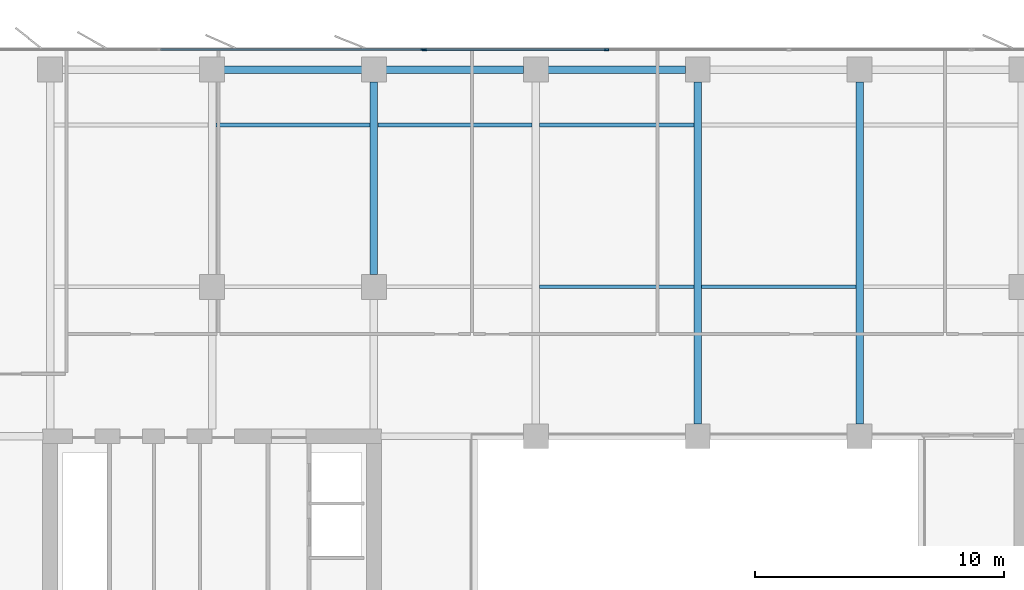
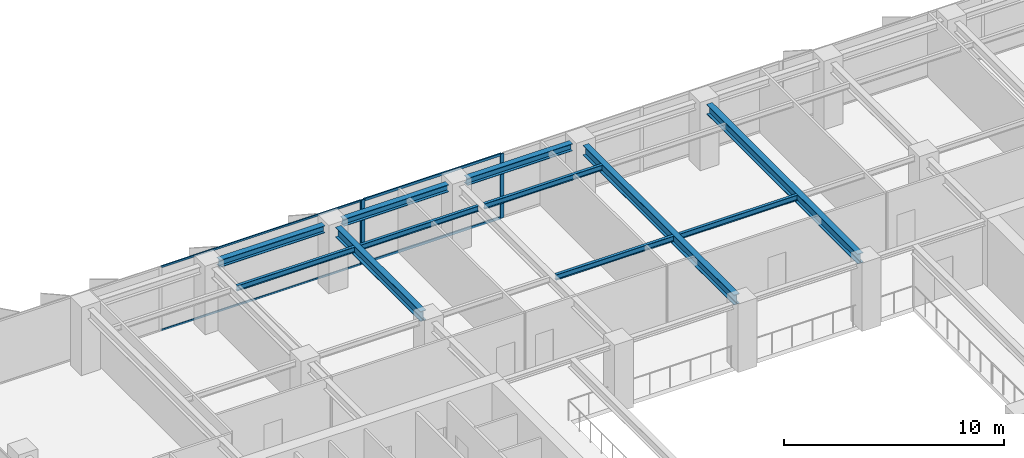
# One storey, part 9 of 22: 11 beams, 7 members, 2 elements without a shape of their own.
"""IFC4 building model written with IfcOpenShell, lengths in metres."""

from ifc_helpers import new_model, si_unit, direction, frame, origin, origin_2d, place, context, subcontext, project, spatial, rectangle, i_section, extrude, material, layer, layer_set, material_profile, profile_set, type_object, element, aggregate, save


model = new_model("IFC4")

# Units and contexts
model_context = context("Model", 3, precision=1e-05, world=origin(), true_north=direction((0.0, 1.0)))
body_context = subcontext(model_context, "Body", "Model", "MODEL_VIEW")
ifc_project = project(units=[si_unit("LENGTHUNIT", "METRE"), si_unit("AREAUNIT", "SQUARE_METRE"), si_unit("VOLUMEUNIT", "CUBIC_METRE"), si_unit("PLANEANGLEUNIT", "RADIAN"), si_unit("MASSUNIT", "GRAM", prefix="KILO")], contexts=[model_context])

# Site, building, storey
site_placement = place(None, origin())
site = spatial("IfcSite", under=ifc_project, at=site_placement, CompositionType="ELEMENT")
building_placement = place(site_placement, origin())
building = spatial("IfcBuilding", under=site, at=building_placement, Name="Putna Gate Headquarters", CompositionType="ELEMENT")
storey_placement = place(building_placement, frame((0.0, 0.0, 174.60009765625)))
storey = spatial("IfcBuildingStorey", under=building, at=storey_placement, Name="L43", CompositionType="ELEMENT", Elevation=174.60009765625)

# Beams
ifc_material_1 = material(Name="Steel S355J2", Category="steel")
ifc_material_profile_1 = material_profile(ifc_material_1, i_section(OverallWidth=0.300048828125, OverallDepth=0.550048828125, WebThickness=0.014892578125, FlangeThickness=0.029052734375, at=origin_2d()), Name="Steel S355J2")
ifc_profile_set_1 = profile_set([ifc_material_profile_1], Name="Steel S355J2")
beam_type_1 = type_object("IfcBeamType", Name="BM-GIRD-Z3-HEB550", PredefinedType="USERDEFINED", material=ifc_profile_set_1)
beam_placement = place(storey_placement, frame((26.0, 39.488037109375, 3.296875), z_axis=(0.0, 1.0, 0.0), x_axis=(-1.0, 0.0, 0.0)))
element("IfcBeam", 1, at=beam_placement, inside=storey, type_object=beam_type_1, Name="L43 North Primary Girder X26-2", ObjectType="GIRDER", PredefinedType="USERDEFINED", context=body_context, shape_type="SweptSolid", body=[
    extrude(i_section(OverallWidth=0.300048828125, OverallDepth=0.550048828125, WebThickness=0.014892578125, FlangeThickness=0.029052734375, at=origin_2d()), origin(), (0.0, 0.0, 1.0), 7.743896484375),
])
for number, where, z_axis, x_axis, name in (
    (2, (39.0, 33.488037109375, 3.296875), (0.0, 1.0, 0.0), (-1.0, 0.0, 0.0), "L43 North Primary Girder X39"),
    (3, (45.5, 33.488037109375, 3.296875), (0.0, 1.0, 0.0), (-1.0, 0.0, 0.0), "L43 North Primary Girder X45"),
):
    element("IfcBeam", number, at=place(storey_placement, frame(where, z_axis=z_axis, x_axis=x_axis)), inside=storey, type_object=beam_type_1, Name=name, ObjectType="GIRDER", PredefinedType="USERDEFINED", context=body_context, shape_type="SweptSolid", body=[
        extrude(i_section(OverallWidth=0.300048828125, OverallDepth=0.550048828125, WebThickness=0.014892578125, FlangeThickness=0.029052734375, at=origin_2d()), origin(), (0.0, 0.0, 1.0), 13.743896484375),
    ])
ifc_material_profile_2 = material_profile(ifc_material_1, i_section(OverallWidth=0.14990234375, OverallDepth=0.300048828125, WebThickness=0.007080078125, FlangeThickness=0.0107421875, at=origin_2d()), Name="Steel S355J2")
ifc_profile_set_2 = profile_set([ifc_material_profile_2], Name="Steel S355J2")
beam_type_2 = type_object("IfcBeamType", Name="BM-SEC-Z3-IPE300", PredefinedType="JOIST", material=ifc_profile_set_2)
for number, where, z_axis, x_axis, name in (
    (4, (19.654052734375, 45.5, 3.421875), (1.0, 0.0, 0.0), (0.0, 1.0, 0.0), "L43 North Secondary Beam 2"),
    (5, (26.154052734375, 45.5, 3.421875), (1.0, 0.0, 0.0), (0.0, 1.0, 0.0), "L43 North Secondary Beam 3"),
    (6, (32.654052734375, 39.0, 3.421875), (1.0, 0.0, 0.0), (0.0, 1.0, 0.0), "L43 North Secondary Beam 4"),
    (7, (32.654052734375, 45.5, 3.421875), (1.0, 0.0, 0.0), (0.0, 1.0, 0.0), "L43 North Secondary Beam 4"),
    (8, (39.154052734375, 39.0, 3.421875), (1.0, 0.0, 0.0), (0.0, 1.0, 0.0), "L43 North Secondary Beam 5"),
):
    element("IfcBeam", number, at=place(storey_placement, frame(where, z_axis=z_axis, x_axis=x_axis)), inside=storey, type_object=beam_type_2, Name=name, PredefinedType="JOIST", context=body_context, shape_type="SweptSolid", body=[
        extrude(i_section(OverallWidth=0.14990234375, OverallDepth=0.300048828125, WebThickness=0.007080078125, FlangeThickness=0.0107421875, at=origin_2d()), origin(), (0.0, 0.0, 1.0), 6.19189453125),
    ])
ifc_material_profile_3 = material_profile(ifc_material_1, i_section(OverallWidth=0.300048828125, OverallDepth=0.39990234375, WebThickness=0.013427734375, FlangeThickness=0.02392578125, at=origin_2d()), Name="Steel S355J2")
ifc_profile_set_3 = profile_set([ifc_material_profile_3], Name="Steel S355J2")
beam_type_3 = type_object("IfcBeamType", Name="BM-SPAN-Z3-HEB400", PredefinedType="SPANDREL", material=ifc_profile_set_3)
for number, where, z_axis, x_axis, name in (
    (9, (19.988037109375, 47.719970703125, 3.371826171875), (1.0, 0.0, 0.0), (0.0, 1.0, 0.0), "L43 N Perimeter Spandrel 2"),
    (10, (26.488037109375, 47.719970703125, 3.371826171875), (1.0, 0.0, 0.0), (0.0, 1.0, 0.0), "L43 N Perimeter Spandrel 3"),
    (11, (32.988037109375, 47.719970703125, 3.371826171875), (1.0, 0.0, 0.0), (0.0, 1.0, 0.0), "L43 N Perimeter Spandrel 4"),
):
    element("IfcBeam", number, at=place(storey_placement, frame(where, z_axis=z_axis, x_axis=x_axis)), inside=storey, type_object=beam_type_3, Name=name, PredefinedType="SPANDREL", context=body_context, shape_type="SweptSolid", body=[
        extrude(i_section(OverallWidth=0.300048828125, OverallDepth=0.39990234375, WebThickness=0.013427734375, FlangeThickness=0.02392578125, at=origin_2d()), origin(), (0.0, 0.0, 1.0), 5.52392578125),
    ])

# Curtain wall, member
ifc_material_2 = material(Name="Anodised bronze aluminium curtain wall", Category="aluminium")
ifc_layer_1 = layer(ifc_material_2, 0.159912109375)
ifc_layer_set_1 = layer_set([ifc_layer_1], Name="Anodised bronze aluminium curtain wall")
curtain_wall_type_1 = type_object("IfcCurtainWallType", Name="CW-SYS-Z3", PredefinedType="USERDEFINED", material=ifc_layer_set_1)
curtain_wall_1_placement = place(storey_placement, origin())
curtain_wall_1 = element("IfcCurtainWall", 12, at=curtain_wall_1_placement, inside=storey, type_object=curtain_wall_type_1, Name="L43 North West Curtain Wall", ObjectType="STICK CURTAIN WALL", PredefinedType="USERDEFINED")
ifc_material_3 = material(Name="Anodised bronze aluminium EN AW-6060", Category="aluminium")
ifc_material_profile_4 = material_profile(ifc_material_3, rectangle(XDim=0.06494140625, YDim=0.159912109375, at=origin_2d()), Name="Anodised bronze aluminium EN AW-6060")
ifc_profile_set_4 = profile_set([ifc_material_profile_4], Name="Anodised bronze aluminium EN AW-6060")
member_type_1 = type_object("IfcMemberType", Name="MULL-CWM-3", PredefinedType="MULLION", material=ifc_profile_set_4)
member_1_placement = place(storey_placement, frame((27.967529296875, 48.52001953125, 0.0), z_axis=(0.0, 0.0, 1.0), x_axis=(0.0, 1.0, 0.0)))
member_1 = element("IfcMember", 13, at=member_1_placement, type_object=member_type_1, Name="CWS-3 mullion 3", PredefinedType="MULLION", context=body_context, shape_type="SweptSolid", body=[
    extrude(rectangle(XDim=0.06494140625, YDim=0.159912109375, at=origin_2d()), origin(), (0.0, 0.0, 1.0), 3.572021484375),
])

# Curtain wall, members
ifc_layer_2 = layer(ifc_material_2, 0.179931640625)
ifc_layer_set_2 = layer_set([ifc_layer_2], Name="Anodised bronze aluminium curtain wall")
curtain_wall_type_2 = type_object("IfcCurtainWallType", Name="CW-SYS-ATR", PredefinedType="USERDEFINED", material=ifc_layer_set_2)
curtain_wall_2_placement = place(storey_placement, origin())
curtain_wall_2 = element("IfcCurtainWall", 14, at=curtain_wall_2_placement, inside=storey, type_object=curtain_wall_type_2, Name="L43 North Atrium Clear Glazing", ObjectType="ATRIUM GLAZING", PredefinedType="USERDEFINED")
ifc_material_profile_5 = material_profile(ifc_material_3, rectangle(XDim=0.070068359375, YDim=0.179931640625, at=origin_2d()), Name="Anodised bronze aluminium EN AW-6060")
ifc_profile_set_5 = profile_set([ifc_material_profile_5], Name="Anodised bronze aluminium EN AW-6060")
member_type_2 = type_object("IfcMemberType", Name="MULL-CWM-AT", PredefinedType="MULLION", material=ifc_profile_set_5)
member_2_placement = place(storey_placement, frame((28.034912109375, 48.52001953125, 0.0), z_axis=(0.0, 0.0, 1.0), x_axis=(0.0, 1.0, 0.0)))
member_2 = element("IfcMember", 15, at=member_2_placement, type_object=member_type_2, Name="CWS-AT mullion 1", PredefinedType="MULLION", context=body_context, shape_type="SweptSolid", body=[
    extrude(rectangle(XDim=0.070068359375, YDim=0.179931640625, at=origin_2d()), origin(), (0.0, 0.0, 1.0), 3.572021484375),
])
member_3_placement = place(storey_placement, frame((35.333251953125, 48.52001953125, 0.0), z_axis=(0.0, 0.0, 1.0), x_axis=(0.0, 1.0, 0.0)))
member_3 = element("IfcMember", 16, at=member_3_placement, type_object=member_type_2, Name="CWS-AT mullion 2", PredefinedType="MULLION", context=body_context, shape_type="SweptSolid", body=[
    extrude(rectangle(XDim=0.070068359375, YDim=0.179931640625, at=origin_2d()), origin(), (0.0, 0.0, 1.0), 3.572021484375),
])

# Member
ifc_material_profile_6 = material_profile(ifc_material_3, rectangle(XDim=0.06005859375, YDim=0.10009765625, at=origin_2d()), Name="Anodised bronze aluminium EN AW-6060")
ifc_profile_set_6 = profile_set([ifc_material_profile_6], Name="Anodised bronze aluminium EN AW-6060")
member_type_3 = type_object("IfcMemberType", Name="TRAN-CWT-3", PredefinedType="USERDEFINED", material=ifc_profile_set_6)
member_4_placement = place(storey_placement, frame((17.4326171875, 48.52001953125, 0.02978515625), z_axis=(1.0, 0.0, 0.0), x_axis=(0.0, 1.0, 0.0)))
member_4 = element("IfcMember", 17, at=member_4_placement, type_object=member_type_3, Name="CWS-3 transom 2.1", ObjectType="TRANSOM", PredefinedType="USERDEFINED", context=body_context, shape_type="SweptSolid", body=[
    extrude(rectangle(XDim=0.06005859375, YDim=0.10009765625, at=origin_2d()), origin(), (0.0, 0.0, 1.0), 10.50244140625),
])

member_5_placement = place(storey_placement, frame((17.4326171875, 48.52001953125, 3.5419921875), z_axis=(1.0, 0.0, 0.0), x_axis=(0.0, 1.0, 0.0)))
member_5 = element("IfcMember", 18, at=member_5_placement, type_object=member_type_3, Name="CWS-3 transom 2.2", ObjectType="TRANSOM", PredefinedType="USERDEFINED", context=body_context, shape_type="SweptSolid", body=[
    extrude(rectangle(XDim=0.06005859375, YDim=0.10009765625, at=origin_2d()), origin(), (0.0, 0.0, 1.0), 10.50244140625),
])

aggregate(curtain_wall_1, [member_1, member_4, member_5])

ifc_material_profile_7 = material_profile(ifc_material_3, rectangle(XDim=0.070068359375, YDim=0.139892578125, at=origin_2d()), Name="Anodised bronze aluminium EN AW-6060")
ifc_profile_set_7 = profile_set([ifc_material_profile_7], Name="Anodised bronze aluminium EN AW-6060")
member_type_4 = type_object("IfcMemberType", Name="TRAN-CWT-AT", PredefinedType="USERDEFINED", material=ifc_profile_set_7)
member_6_placement = place(storey_placement, frame((28.070068359375, 48.52001953125, 0.034912109375), z_axis=(1.0, 0.0, 0.0), x_axis=(0.0, 1.0, 0.0)))
member_6 = element("IfcMember", 19, at=member_6_placement, type_object=member_type_4, Name="CWS-AT transom 1.1", ObjectType="TRANSOM", PredefinedType="USERDEFINED", context=body_context, shape_type="SweptSolid", body=[
    extrude(rectangle(XDim=0.070068359375, YDim=0.139892578125, at=origin_2d()), origin(), (0.0, 0.0, 1.0), 7.228271484375),
])

member_7_placement = place(storey_placement, frame((28.070068359375, 48.52001953125, 3.536865234375), z_axis=(1.0, 0.0, 0.0), x_axis=(0.0, 1.0, 0.0)))
member_7 = element("IfcMember", 20, at=member_7_placement, type_object=member_type_4, Name="CWS-AT transom 1.2", ObjectType="TRANSOM", PredefinedType="USERDEFINED", context=body_context, shape_type="SweptSolid", body=[
    extrude(rectangle(XDim=0.070068359375, YDim=0.139892578125, at=origin_2d()), origin(), (0.0, 0.0, 1.0), 7.228271484375),
])

aggregate(curtain_wall_2, [member_2, member_3, member_6, member_7])

save(model, "model.ifc")
